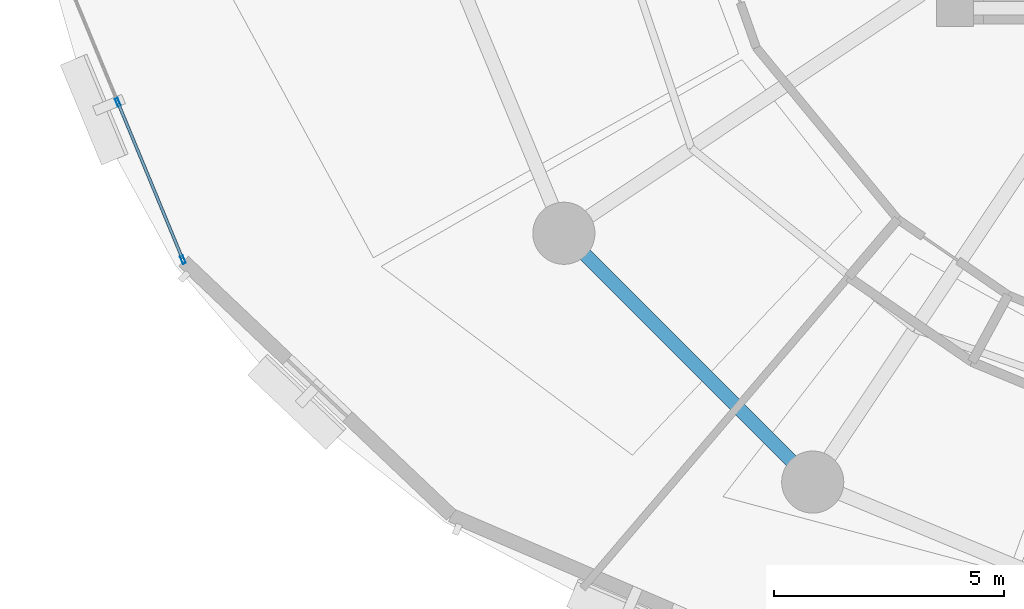
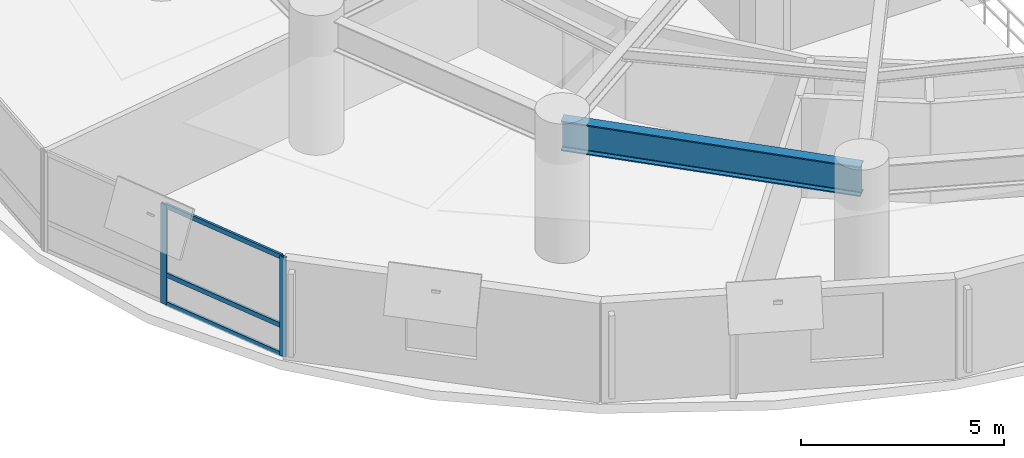
# One storey, part 2 of 17: 5 members, 1 beam, 1 element without a shape of its own.
"""IFC4 building model written with IfcOpenShell, lengths in metres."""

from ifc_helpers import new_model, si_unit, direction, frame, origin, origin_2d, place, context, subcontext, project, spatial, hollow_rectangle, i_section, extrude, material, layer, layer_set, material_profile, profile_set, type_object, element, aggregate, save


model = new_model("IFC4")

# Units and contexts
model_context = context("Model", 3, precision=1e-05, world=origin(), true_north=direction((0.0, 1.0)))
body_context = subcontext(model_context, "Body", "Model", "MODEL_VIEW")
ifc_project = project(units=[si_unit("LENGTHUNIT", "METRE"), si_unit("AREAUNIT", "SQUARE_METRE"), si_unit("VOLUMEUNIT", "CUBIC_METRE"), si_unit("PLANEANGLEUNIT", "RADIAN"), si_unit("MASSUNIT", "GRAM", prefix="KILO"), si_unit("THERMODYNAMICTEMPERATUREUNIT", "KELVIN"), si_unit("POWERUNIT", "WATT")], contexts=[model_context])

# Site, building, storey
site_placement = place(None, origin())
site = spatial("IfcSite", under=ifc_project, at=site_placement, CompositionType="ELEMENT")
building_placement = place(site_placement, origin())
building = spatial("IfcBuilding", under=site, at=building_placement, Name="Ocrelia Relay Tower", CompositionType="ELEMENT")
storey_placement = place(building_placement, frame((0.0, 0.0, 72.0)))
storey = spatial("IfcBuildingStorey", under=building, at=storey_placement, Name="L16", CompositionType="ELEMENT", Elevation=72.0)

# Beam
ifc_material_1 = material(Name="Steel S355", Category="steel")
ifc_material_profile_1 = material_profile(ifc_material_1, i_section(OverallWidth=0.300048828125, OverallDepth=0.89990234375, WebThickness=0.0185546875, FlangeThickness=0.034912109375, FilletRadius=0.030029296875, at=origin_2d()), Name="HEB 900")
ifc_profile_set_1 = profile_set([ifc_material_profile_1], Name="Steel S355")
beam_type = type_object("IfcBeamType", Name="BM-HEB900", PredefinedType="BEAM", material=ifc_profile_set_1)
beam_placement = place(storey_placement, frame((17.703125, 15.11083984375, 3.469970703125), z_axis=(0.707106781187, -0.707106781187, 0.0), x_axis=(0.707106781187, 0.707106781187, 0.0)))
element("IfcBeam", 1, at=beam_placement, inside=storey, type_object=beam_type, Name="L16 Perimeter Spandrel Beam S10", PredefinedType="BEAM", context=body_context, shape_type="SweptSolid", body=[
    extrude(i_section(OverallWidth=0.300048828125, OverallDepth=0.89990234375, WebThickness=0.0185546875, FlangeThickness=0.034912109375, FilletRadius=0.030029296875, at=origin_2d()), origin(), (0.0, 0.0, 1.0), 7.647705078125),
])

# Curtain wall, members
ifc_material_2 = material(Name="Aluminium and solar-control low-E glass", Category="aluminium")
ifc_layer = layer(ifc_material_2, 0.179931640625, Name="Aluminium and solar-control low-E glass")
ifc_layer_set = layer_set([ifc_layer], Name="Aluminium and solar-control low-E glass")
curtain_wall_type = type_object("IfcCurtainWallType", Name="CW-SYS-Z1-DATA", PredefinedType="NOTDEFINED", material=ifc_layer_set)
curtain_wall_placement = place(storey_placement, origin())
curtain_wall = element("IfcCurtainWall", 2, at=curtain_wall_placement, inside=storey, type_object=curtain_wall_type, Name="L16 Elliptical Tower Curtain Wall Bay 10", PredefinedType="NOTDEFINED")
ifc_material_3 = material(Name="Anodised bronze aluminium", Category="aluminium")
ifc_material_profile_2 = material_profile(ifc_material_3, hollow_rectangle(XDim=0.070068359375, YDim=0.179931640625, WallThickness=0.006103515625, at=origin_2d()), Name="CW-MUL-180x70")
ifc_profile_set_2 = profile_set([ifc_material_profile_2], Name="Anodised bronze aluminium")
member_type_1 = type_object("IfcMemberType", Name="CW-SYS-Z1-DATA-MUL", PredefinedType="MULLION", material=ifc_profile_set_2)
member_1_placement = place(storey_placement, frame((8.00927734375, 17.95751953125, 0.0), z_axis=(0.0, 0.0, 1.0), x_axis=(0.924146666429, 0.382037876302, 0.0)))
member_1 = element("IfcMember", 3, at=member_1_placement, type_object=member_type_1, Name="CW-Z1 mullion 2", PredefinedType="MULLION", context=body_context, shape_type="SweptSolid", body=[
    extrude(hollow_rectangle(XDim=0.070068359375, YDim=0.179931640625, WallThickness=0.006103515625, at=origin_2d()), origin(), (0.0, 0.0, 1.0), 3.0),
])
member_2_placement = place(storey_placement, frame((9.423828125, 14.53564453125, 0.0), z_axis=(0.0, 0.0, 1.0), x_axis=(0.924146666429, 0.382037876302, 0.0)))
member_2 = element("IfcMember", 4, at=member_2_placement, type_object=member_type_1, Name="CW-Z1 mullion 3", PredefinedType="MULLION", context=body_context, shape_type="SweptSolid", body=[
    extrude(hollow_rectangle(XDim=0.070068359375, YDim=0.179931640625, WallThickness=0.006103515625, at=origin_2d()), origin(), (0.0, 0.0, 1.0), 3.0),
])
ifc_material_profile_3 = material_profile(ifc_material_3, hollow_rectangle(XDim=0.06494140625, YDim=0.139892578125, WallThickness=0.0048828125, at=origin_2d()), Name="CW-TRN-140x65")
ifc_profile_set_3 = profile_set([ifc_material_profile_3], Name="Anodised bronze aluminium")
member_type_2 = type_object("IfcMemberType", Name="CW-SYS-Z1-DATA-TRN", PredefinedType="USERDEFINED", material=ifc_profile_set_3)
member_3_placement = place(storey_placement, frame((8.022705078125, 17.925048828125, 0.032470703125), z_axis=(0.382003518295, -0.924160869119, 0.0), x_axis=(0.924160869119, 0.382003518295, 0.0)))
member_3 = element("IfcMember", 5, at=member_3_placement, type_object=member_type_2, Name="CW-Z1 transom 2.1", ObjectType="TRANSOM", PredefinedType="USERDEFINED", context=body_context, shape_type="SweptSolid", body=[
    extrude(hollow_rectangle(XDim=0.06494140625, YDim=0.139892578125, WallThickness=0.0048828125, at=origin_2d()), origin(), (0.0, 0.0, 1.0), 3.632568359375),
])
member_4_placement = place(storey_placement, frame((8.022705078125, 17.925048828125, 0.89990234375), z_axis=(0.382003518295, -0.924160869119, 0.0), x_axis=(0.924160869119, 0.382003518295, 0.0)))
member_4 = element("IfcMember", 6, at=member_4_placement, type_object=member_type_2, Name="CW-Z1 transom 2.2", ObjectType="TRANSOM", PredefinedType="USERDEFINED", context=body_context, shape_type="SweptSolid", body=[
    extrude(hollow_rectangle(XDim=0.06494140625, YDim=0.139892578125, WallThickness=0.0048828125, at=origin_2d()), origin(), (0.0, 0.0, 1.0), 3.632568359375),
])
member_5_placement = place(storey_placement, frame((8.022705078125, 17.925048828125, 2.967529296875), z_axis=(0.382003518295, -0.924160869119, 0.0), x_axis=(0.924160869119, 0.382003518295, 0.0)))
member_5 = element("IfcMember", 7, at=member_5_placement, type_object=member_type_2, Name="CW-Z1 transom 2.3", ObjectType="TRANSOM", PredefinedType="USERDEFINED", context=body_context, shape_type="SweptSolid", body=[
    extrude(hollow_rectangle(XDim=0.06494140625, YDim=0.139892578125, WallThickness=0.0048828125, at=origin_2d()), origin(), (0.0, 0.0, 1.0), 3.632568359375),
])
aggregate(curtain_wall, [member_1, member_2, member_3, member_4, member_5])

save(model, "model.ifc")
